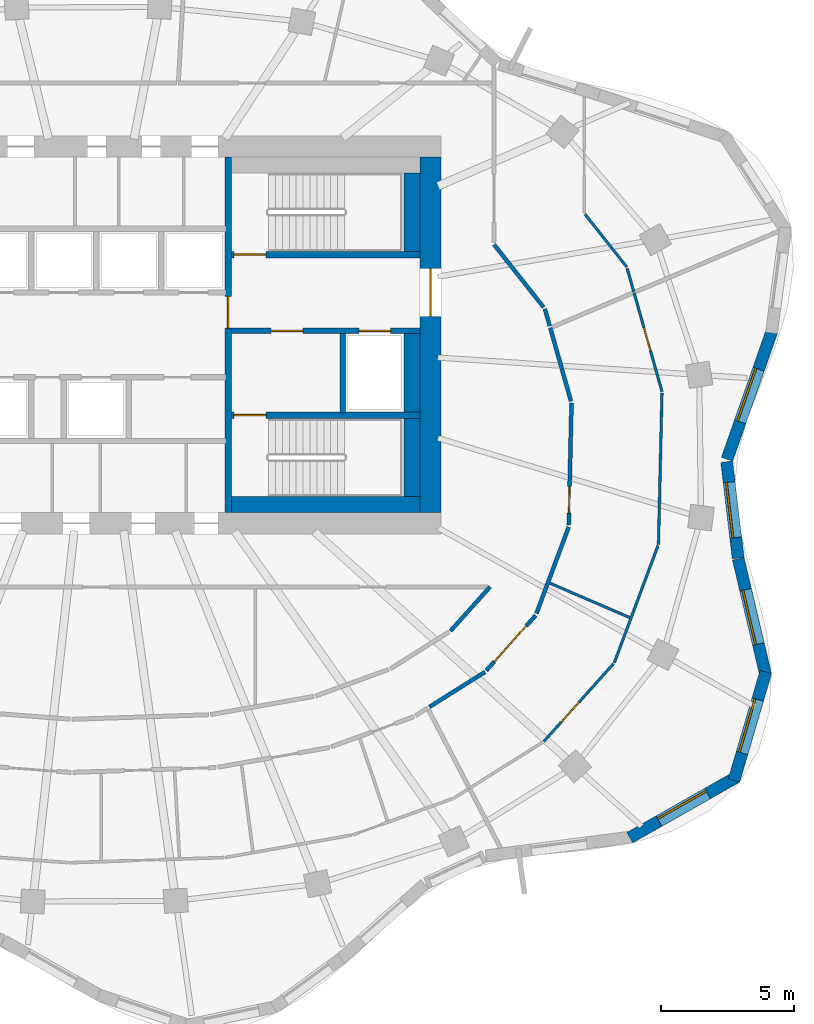
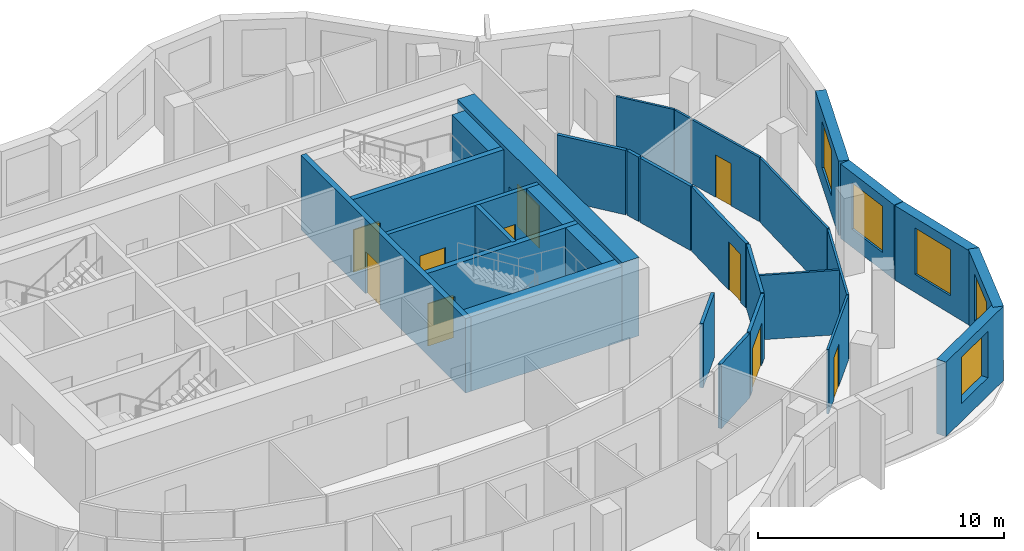
# One storey, part 6 of 9: 30 walls, 10 doors, 5 windows, 15 openings.
"""IFC4 building model written with IfcOpenShell, lengths in metres."""

from ifc_helpers import new_model, si_unit, direction, frame, frame_2d, origin, place, context, subcontext, project, spatial, rectangle, extrude, material, layer, layer_set, type_object, element, fill, save


model = new_model("IFC4")

# Units and contexts
model_context = context("Model", 3, precision=1e-05, world=origin(), true_north=direction((0.0, 1.0)))
body_context = subcontext(model_context, "Body", "Model", "MODEL_VIEW")
ifc_project = project(units=[si_unit("LENGTHUNIT", "METRE"), si_unit("AREAUNIT", "SQUARE_METRE"), si_unit("VOLUMEUNIT", "CUBIC_METRE"), si_unit("PLANEANGLEUNIT", "RADIAN"), si_unit("MASSUNIT", "GRAM", prefix="KILO")], contexts=[model_context])

# Site, building, storey
site_placement = place(None, origin())
site = spatial("IfcSite", under=ifc_project, at=site_placement, CompositionType="ELEMENT")
building_placement = place(site_placement, origin())
building = spatial("IfcBuilding", under=site, at=building_placement, Name="Rubra Terraces Tower", CompositionType="ELEMENT")
storey_placement = place(building_placement, frame((0.0, 0.0, 288.300048828125)))
storey = spatial("IfcBuildingStorey", under=building, at=storey_placement, Name="L71", CompositionType="ELEMENT", Elevation=288.300048828125)

# Wall, opening, window
ifc_material_1 = material(Name="Brick masonry red-brown", Category="masonry")
ifc_layer_1 = layer(ifc_material_1, 0.449951171875)
ifc_layer_set_1 = layer_set([ifc_layer_1], Name="Brick masonry red-brown")
wall_type_1 = type_object("IfcWallType", Name="Brick facade wall 450", PredefinedType="SOLIDWALL", material=ifc_layer_set_1)
wall_1_placement = place(storey_placement, frame((23.782470703125, -0.189208984375, 0.0), z_axis=(0.0, 0.0, 1.0), x_axis=(0.330794307703, 0.943702880144, 0.0)))
wall_1 = element("IfcWall", 1, at=wall_1_placement, inside=storey, type_object=wall_type_1, Name="Facade wall L71 bay 1", PredefinedType="SOLIDWALL", context=body_context, shape_type="SweptSolid", body=[
    extrude(rectangle(XDim=5.095458984375, YDim=0.449951171875, at=frame_2d((2.5478515625, 0.0))), origin(), (0.0, 0.0, 1.0), 3.699951171875),
])
opening_1_placement = place(wall_1_placement, frame((1.497802734375, 0.0, 0.89990234375)))
opening_1 = element("IfcOpeningElement", 2, at=opening_1_placement, cuts=wall_1, Name="Opening W1B", PredefinedType="OPENING", context=body_context, shape_type="SweptSolid", body=[
    extrude(rectangle(XDim=2.10009765625, YDim=2.300048828125, at=frame_2d((1.050048828125, 1.14990234375))), frame((0.0, 0.23486328125, 0.0), z_axis=(0.0, -1.0, 0.0), x_axis=(1.0, 0.0, 0.0)), (0.0, 0.0, 1.0), 0.469970703125),
])
ifc_material_2 = material(Name="Clear glass in aluminium frame", Category="aluminium")
window_type = type_object("IfcWindowType", Name="Fixed deep-set window tall storey 2100 x 2300", PartitioningType="SINGLE_PANEL", PredefinedType="WINDOW", material=ifc_material_2)
window_1_placement = place(opening_1_placement, origin())
window_1 = element("IfcWindow", 3, at=window_1_placement, inside=storey, type_object=window_type, Name="Window L71 bay 1", OverallHeight=2.300048828125, OverallWidth=2.10009765625, PartitioningType="SINGLE_PANEL", PredefinedType="WINDOW", context=body_context, shape_type="SweptSolid", body=[
    extrude(rectangle(XDim=2.10009765625, YDim=2.300048828125, at=frame_2d((1.050048828125, 1.14990234375))), frame((0.0, 0.135009765625, 0.0), z_axis=(0.0, -1.0, 0.0), x_axis=(1.0, 0.0, 0.0)), (0.0, 0.0, 1.0), 0.06005859375),
])
fill(opening_1, window_1)

wall_2_placement = place(storey_placement, frame((20.115478515625, -14.45458984375, 0.0), z_axis=(0.0, 0.0, 1.0), x_axis=(0.869822679286, 0.493364476427, 0.0)))
wall_2 = element("IfcWall", 4, at=wall_2_placement, inside=storey, type_object=wall_type_1, Name="Facade wall L71 bay 37", PredefinedType="SOLIDWALL", context=body_context, shape_type="SweptSolid", body=[
    extrude(rectangle(XDim=4.63818359375, YDim=0.449951171875, at=frame_2d((2.319091796875, 0.0))), origin(), (0.0, 0.0, 1.0), 3.699951171875),
])
opening_2_placement = place(wall_2_placement, frame((1.26904296875, 0.0, 0.89990234375)))
opening_2 = element("IfcOpeningElement", 5, at=opening_2_placement, cuts=wall_2, Name="Opening W1B", PredefinedType="OPENING", context=body_context, shape_type="SweptSolid", body=[
    extrude(rectangle(XDim=2.10009765625, YDim=2.300048828125, at=frame_2d((1.050048828125, 1.14990234375))), frame((0.0, 0.23486328125, 0.0), z_axis=(0.0, -1.0, 0.0), x_axis=(1.0, 0.0, 0.0)), (0.0, 0.0, 1.0), 0.469970703125),
])
window_2_placement = place(opening_2_placement, origin())
window_2 = element("IfcWindow", 6, at=window_2_placement, inside=storey, type_object=window_type, Name="Window L71 bay 37", OverallHeight=2.300048828125, OverallWidth=2.10009765625, PartitioningType="SINGLE_PANEL", PredefinedType="WINDOW", context=body_context, shape_type="SweptSolid", body=[
    extrude(rectangle(XDim=2.10009765625, YDim=2.300048828125, at=frame_2d((1.050048828125, 1.14990234375))), frame((0.0, 0.135009765625, 0.0), z_axis=(0.0, -1.0, 0.0), x_axis=(1.0, 0.0, 0.0)), (0.0, 0.0, 1.0), 0.06005859375),
])
fill(opening_2, window_2)

wall_3_placement = place(storey_placement, frame((24.045166015625, -12.298583984375, 0.0), z_axis=(0.0, 0.0, 1.0), x_axis=(0.281381418228, 0.95959600743, 0.0)))
wall_3 = element("IfcWall", 7, at=wall_3_placement, inside=storey, type_object=wall_type_1, Name="Facade wall L71 bay 38", PredefinedType="SOLIDWALL", context=body_context, shape_type="SweptSolid", body=[
    extrude(rectangle(XDim=4.260986328125, YDim=0.449951171875, at=frame_2d((2.13037109375, 0.0))), origin(), (0.0, 0.0, 1.0), 3.699951171875),
])
opening_3_placement = place(wall_3_placement, frame((1.08056640625, 0.0, 0.89990234375)))
opening_3 = element("IfcOpeningElement", 8, at=opening_3_placement, cuts=wall_3, Name="Opening W1B", PredefinedType="OPENING", context=body_context, shape_type="SweptSolid", body=[
    extrude(rectangle(XDim=2.10009765625, YDim=2.300048828125, at=frame_2d((1.050048828125, 1.14990234375))), frame((0.0, 0.23486328125, 0.0), z_axis=(0.0, -1.0, 0.0), x_axis=(1.0, 0.0, 0.0)), (0.0, 0.0, 1.0), 0.469970703125),
])
window_3_placement = place(opening_3_placement, origin())
window_3 = element("IfcWindow", 9, at=window_3_placement, inside=storey, type_object=window_type, Name="Window L71 bay 38", OverallHeight=2.300048828125, OverallWidth=2.10009765625, PartitioningType="SINGLE_PANEL", PredefinedType="WINDOW", context=body_context, shape_type="SweptSolid", body=[
    extrude(rectangle(XDim=2.10009765625, YDim=2.300048828125, at=frame_2d((1.050048828125, 1.14990234375))), frame((0.0, 0.135009765625, 0.0), z_axis=(0.0, -1.0, 0.0), x_axis=(1.0, 0.0, 0.0)), (0.0, 0.0, 1.0), 0.06005859375),
])
fill(opening_3, window_3)

wall_4_placement = place(storey_placement, frame((25.23974609375, -8.3193359375, 0.0), z_axis=(0.0, 0.0, 1.0), x_axis=(-0.230037604827, 0.973181740666, 0.0)))
wall_4 = element("IfcWall", 10, at=wall_4_placement, inside=storey, type_object=wall_type_1, Name="Facade wall L71 bay 39", PredefinedType="SOLIDWALL", context=body_context, shape_type="SweptSolid", body=[
    extrude(rectangle(XDim=4.497802734375, YDim=0.449951171875, at=frame_2d((2.2490234375, 0.0))), origin(), (0.0, 0.0, 1.0), 3.699951171875),
])
opening_4_placement = place(wall_4_placement, frame((1.198974609375, 0.0, 0.89990234375)))
opening_4 = element("IfcOpeningElement", 11, at=opening_4_placement, cuts=wall_4, Name="Opening W1B", PredefinedType="OPENING", context=body_context, shape_type="SweptSolid", body=[
    extrude(rectangle(XDim=2.10009765625, YDim=2.300048828125, at=frame_2d((1.050048828125, 1.14990234375))), frame((0.0, 0.23486328125, 0.0), z_axis=(0.0, -1.0, 0.0), x_axis=(1.0, 0.0, 0.0)), (0.0, 0.0, 1.0), 0.469970703125),
])
window_4_placement = place(opening_4_placement, origin())
window_4 = element("IfcWindow", 12, at=window_4_placement, inside=storey, type_object=window_type, Name="Window L71 bay 39", OverallHeight=2.300048828125, OverallWidth=2.10009765625, PartitioningType="SINGLE_PANEL", PredefinedType="WINDOW", context=body_context, shape_type="SweptSolid", body=[
    extrude(rectangle(XDim=2.10009765625, YDim=2.300048828125, at=frame_2d((1.050048828125, 1.14990234375))), frame((0.0, 0.135009765625, 0.0), z_axis=(0.0, -1.0, 0.0), x_axis=(1.0, 0.0, 0.0)), (0.0, 0.0, 1.0), 0.06005859375),
])
fill(opening_4, window_4)

wall_5_placement = place(storey_placement, frame((24.200927734375, -3.915283203125, 0.0), z_axis=(0.0, 0.0, 1.0), x_axis=(-0.117623597589, 0.993058250703, 0.0)))
wall_5 = element("IfcWall", 13, at=wall_5_placement, inside=storey, type_object=wall_type_1, Name="Facade wall L71 bay 40", PredefinedType="SOLIDWALL", context=body_context, shape_type="SweptSolid", body=[
    extrude(rectangle(XDim=3.6572265625, YDim=0.449951171875, at=frame_2d((1.82861328125, 0.0))), origin(), (0.0, 0.0, 1.0), 3.699951171875),
])
opening_5_placement = place(wall_5_placement, frame((0.77880859375, 0.0, 0.89990234375)))
opening_5 = element("IfcOpeningElement", 14, at=opening_5_placement, cuts=wall_5, Name="Opening W1B", PredefinedType="OPENING", context=body_context, shape_type="SweptSolid", body=[
    extrude(rectangle(XDim=2.10009765625, YDim=2.300048828125, at=frame_2d((1.050048828125, 1.14990234375))), frame((0.0, 0.23486328125, 0.0), z_axis=(0.0, -1.0, 0.0), x_axis=(1.0, 0.0, 0.0)), (0.0, 0.0, 1.0), 0.469970703125),
])
window_5_placement = place(opening_5_placement, origin())
window_5 = element("IfcWindow", 15, at=window_5_placement, inside=storey, type_object=window_type, Name="Window L71 bay 40", OverallHeight=2.300048828125, OverallWidth=2.10009765625, PartitioningType="SINGLE_PANEL", PredefinedType="WINDOW", context=body_context, shape_type="SweptSolid", body=[
    extrude(rectangle(XDim=2.10009765625, YDim=2.300048828125, at=frame_2d((1.050048828125, 1.14990234375))), frame((0.0, 0.135009765625, 0.0), z_axis=(0.0, -1.0, 0.0), x_axis=(1.0, 0.0, 0.0)), (0.0, 0.0, 1.0), 0.06005859375),
])
fill(opening_5, window_5)

# Wall, opening, door
ifc_material_3 = material(Name="Concrete C50", Category="concrete")
ifc_layer_2 = layer(ifc_material_3, 0.800048828125)
ifc_layer_set_2 = layer_set([ifc_layer_2], Name="Concrete C50")
wall_type_2 = type_object("IfcWallType", Name="CORE WALL 800 C50", PredefinedType="SHEAR", material=ifc_layer_set_2)
wall_6_placement = place(storey_placement, frame((12.60009765625, -2.199951171875, 0.0), z_axis=(0.0, 0.0, 1.0), x_axis=(0.0, 1.0, 0.0)))
wall_6 = element("IfcWall", 16, at=wall_6_placement, inside=storey, type_object=wall_type_2, Name="CORE WALL E L71", PredefinedType="SHEAR", context=body_context, shape_type="SweptSolid", body=[
    extrude(rectangle(XDim=13.39990234375, YDim=0.800048828125, at=frame_2d((6.699951171875, 0.0))), origin(), (0.0, 0.0, 1.0), 3.89990234375),
])
opening_6_placement = place(wall_6_placement, frame((7.39990234375, 0.0, 0.0)))
opening_6 = element("IfcOpeningElement", 17, at=opening_6_placement, cuts=wall_6, Name="Opening L71.C02", PredefinedType="OPENING", context=body_context, shape_type="SweptSolid", body=[
    extrude(rectangle(XDim=1.800048828125, YDim=2.10009765625, at=frame_2d((0.89990234375, 1.050048828125))), frame((0.0, 0.409912109375, 0.0), z_axis=(0.0, -1.0, 0.0), x_axis=(1.0, 0.0, 0.0)), (0.0, 0.0, 1.0), 0.820068359375),
])
ifc_material_4 = material(Name="Painted steel", Category="steel")
door_type_1 = type_object("IfcDoorType", Name="Fire door 1800x2100 double", OperationType="NOTDEFINED", PredefinedType="DOOR", material=ifc_material_4)
door_1_placement = place(opening_6_placement, origin())
door_1 = element("IfcDoor", 18, at=door_1_placement, inside=storey, type_object=door_type_1, Name="Core entrance door FF2", OperationType="DOUBLE_DOOR_SINGLE_SWING", OverallHeight=2.10009765625, OverallWidth=1.800048828125, PredefinedType="DOOR", context=body_context, shape_type="SweptSolid", body=[
    extrude(rectangle(XDim=1.800048828125, YDim=2.10009765625, at=frame_2d((0.89990234375, 1.050048828125))), frame((0.0, 0.02490234375, 0.0), z_axis=(0.0, -1.0, 0.0), x_axis=(1.0, 0.0, 0.0)), (0.0, 0.0, 1.0), 0.050048828125),
])
fill(opening_6, door_1)

# Wall
ifc_material_5 = material(Name="Plasterboard on steel stud, mineral wool infill", Category="steel")
ifc_layer_3 = layer(ifc_material_5, 0.14990234375)
ifc_layer_set_3 = layer_set([ifc_layer_3], Name="Plasterboard on steel stud, mineral wool infill")
wall_type_3 = type_object("IfcWallType", Name="CORRIDOR PARTITION 150", PredefinedType="PARTITIONING", material=ifc_layer_set_3)
wall_7_placement = place(storey_placement, frame((12.559814453125, -9.528564453125, 0.0), z_axis=(0.0, 0.0, 1.0), x_axis=(0.846402081662, 0.53254437952, 0.0)))
element("IfcWall", 19, at=wall_7_placement, inside=storey, type_object=wall_type_3, Name="PARTITION", PredefinedType="PARTITIONING", context=body_context, shape_type="SweptSolid", body=[
    extrude(rectangle(XDim=2.480712890625, YDim=0.14990234375, at=frame_2d((1.240234375, 0.0))), origin(), (0.0, 0.0, 1.0), 3.197998046875),
])

# Wall, opening, door
wall_8_placement = place(storey_placement, frame((14.70947265625, -8.151611328125, 0.0), z_axis=(0.0, 0.0, 1.0), x_axis=(0.667275630306, 0.744810870758, 0.0)))
wall_8 = element("IfcWall", 20, at=wall_8_placement, inside=storey, type_object=wall_type_3, Name="PARTITION", PredefinedType="PARTITIONING", context=body_context, shape_type="SweptSolid", body=[
    extrude(rectangle(XDim=2.789794921875, YDim=0.14990234375, at=frame_2d((1.39501953125, 0.0))), origin(), (0.0, 0.0, 1.0), 3.197998046875),
])
opening_7_placement = place(wall_8_placement, frame((0.449951171875, 0.0, 0.0)))
opening_7 = element("IfcOpeningElement", 21, at=opening_7_placement, cuts=wall_8, Name="Opening 71-107", PredefinedType="OPENING", context=body_context, shape_type="SweptSolid", body=[
    extrude(rectangle(XDim=1.800048828125, YDim=2.10009765625, at=frame_2d((0.89990234375, 1.050048828125))), frame((0.0, 0.0849609375, 0.0), z_axis=(0.0, -1.0, 0.0), x_axis=(1.0, 0.0, 0.0)), (0.0, 0.0, 1.0), 0.169921875),
])
ifc_material_6 = material(Name="Painted timber door leaf, double", Category="wood")
door_type_2 = type_object("IfcDoorType", Name="ROOM DOUBLE DOOR 1800 X 2100", OperationType="DOUBLE_DOOR_SINGLE_SWING", PredefinedType="DOOR", material=ifc_material_6)
door_2_placement = place(opening_7_placement, origin())
door_2 = element("IfcDoor", 22, at=door_2_placement, inside=storey, type_object=door_type_2, Name="DOOR 71-107", OperationType="DOUBLE_DOOR_SINGLE_SWING", OverallHeight=2.10009765625, OverallWidth=1.800048828125, PredefinedType="DOOR", context=body_context, shape_type="SweptSolid", body=[
    extrude(rectangle(XDim=1.800048828125, YDim=2.10009765625, at=frame_2d((0.89990234375, 1.050048828125))), frame((0.0, 0.02490234375, 0.0), z_axis=(0.0, -1.0, 0.0), x_axis=(1.0, 0.0, 0.0)), (0.0, 0.0, 1.0), 0.050048828125),
])
fill(opening_7, door_2)

# Wall
wall_9_placement = place(storey_placement, frame((16.597412109375, -6.00341796875, 0.0), z_axis=(0.0, 0.0, 1.0), x_axis=(0.349499455299, 0.936936567088, 0.0)))
element("IfcWall", 23, at=wall_9_placement, inside=storey, type_object=wall_type_3, Name="PARTITION", PredefinedType="PARTITIONING", context=body_context, shape_type="SweptSolid", body=[
    extrude(rectangle(XDim=3.477294921875, YDim=0.14990234375, at=frame_2d((1.73876953125, 0.0))), origin(), (0.0, 0.0, 1.0), 3.197998046875),
])

# Wall, opening, door
wall_10_placement = place(storey_placement, frame((17.814453125, -2.67041015625, 0.0), z_axis=(0.0, 0.0, 1.0), x_axis=(0.023038539091, 0.999734577634, 0.0)))
wall_10 = element("IfcWall", 24, at=wall_10_placement, inside=storey, type_object=wall_type_3, Name="PARTITION", PredefinedType="PARTITIONING", context=body_context, shape_type="SweptSolid", body=[
    extrude(rectangle(XDim=4.59912109375, YDim=0.14990234375, at=frame_2d((2.299560546875, 0.0))), origin(), (0.0, 0.0, 1.0), 3.197998046875),
])
opening_8_placement = place(wall_10_placement, frame((0.449951171875, 0.0, 0.0)))
opening_8 = element("IfcOpeningElement", 25, at=opening_8_placement, cuts=wall_10, Name="Opening 71-109", PredefinedType="OPENING", context=body_context, shape_type="SweptSolid", body=[
    extrude(rectangle(XDim=1.0, YDim=2.39990234375, at=frame_2d((0.5, 1.199951171875))), frame((0.0, 0.0849609375, 0.0), z_axis=(0.0, -1.0, 0.0), x_axis=(1.0, 0.0, 0.0)), (0.0, 0.0, 1.0), 0.169921875),
])
ifc_material_7 = material(Name="Glazed aluminium meeting door leaf", Category="aluminium")
door_type_3 = type_object("IfcDoorType", Name="MEETING ROOM GLAZED DOOR 1000 X 2400", OperationType="SINGLE_SWING_LEFT", PredefinedType="DOOR", material=ifc_material_7)
door_3_placement = place(opening_8_placement, origin())
door_3 = element("IfcDoor", 26, at=door_3_placement, inside=storey, type_object=door_type_3, Name="DOOR 71-109", OperationType="SINGLE_SWING_RIGHT", OverallHeight=2.39990234375, OverallWidth=1.0, PredefinedType="DOOR", context=body_context, shape_type="SweptSolid", body=[
    extrude(rectangle(XDim=1.0, YDim=2.39990234375, at=frame_2d((0.5, 1.199951171875))), frame((0.0, 0.02490234375, 0.0), z_axis=(0.0, -1.0, 0.0), x_axis=(1.0, 0.0, 0.0)), (0.0, 0.0, 1.0), 0.050048828125),
])
fill(opening_8, door_3)

# Walls
wall_11_placement = place(storey_placement, frame((17.89990234375, 1.999755859375, 0.0), z_axis=(0.0, 0.0, 1.0), x_axis=(-0.271980959701, 0.962302633042, 0.0)))
element("IfcWall", 27, at=wall_11_placement, inside=storey, type_object=wall_type_3, Name="PARTITION", PredefinedType="PARTITIONING", context=body_context, shape_type="SweptSolid", body=[
    extrude(rectangle(XDim=2.87255859375, YDim=0.14990234375, at=frame_2d((1.436279296875, 0.0))), origin(), (0.0, 0.0, 1.0), 3.197998046875),
])
wall_12_placement = place(storey_placement, frame((17.098388671875, 4.836181640625, 0.0), z_axis=(0.0, 0.0, 1.0), x_axis=(-0.271971703561, 0.962305249109, 0.0)))
element("IfcWall", 28, at=wall_12_placement, inside=storey, type_object=wall_type_3, Name="PARTITION", PredefinedType="PARTITIONING", context=body_context, shape_type="SweptSolid", body=[
    extrude(rectangle(XDim=0.668701171875, YDim=0.14990234375, at=frame_2d((0.33447265625, 0.0))), origin(), (0.0, 0.0, 1.0), 3.197998046875),
])
wall_13_placement = place(storey_placement, frame((16.869873046875, 5.53857421875, 0.0), z_axis=(0.0, 0.0, 1.0), x_axis=(-0.620093074114, 0.784528252796, 0.0)))
element("IfcWall", 29, at=wall_13_placement, inside=storey, type_object=wall_type_3, Name="PARTITION", PredefinedType="PARTITIONING", context=body_context, shape_type="SweptSolid", body=[
    extrude(rectangle(XDim=3.015380859375, YDim=0.14990234375, at=frame_2d((1.5078125, 0.0))), origin(), (0.0, 0.0, 1.0), 3.197998046875),
])
wall_14_placement = place(storey_placement, frame((14.847900390625, -5.0, 0.0), z_axis=(0.0, 0.0, 1.0), x_axis=(-0.667363249373, -0.744732363595, 0.0)))
element("IfcWall", 30, at=wall_14_placement, inside=storey, type_object=wall_type_3, Name="PARTITION", PredefinedType="PARTITIONING", context=body_context, shape_type="SweptSolid", body=[
    extrude(rectangle(XDim=2.234130859375, YDim=0.14990234375, at=frame_2d((1.1171875, 0.0))), origin(), (0.0, 0.0, 1.0), 3.197998046875),
])
ifc_material_8 = material(Name="Concrete C40", Category="concrete")
ifc_layer_4 = layer(ifc_material_8, 0.60009765625)
ifc_layer_set_4 = layer_set([ifc_layer_4], Name="Concrete C40")
wall_type_4 = type_object("IfcWallType", Name="Core lining wall 600 concrete", PredefinedType="SOLIDWALL", material=ifc_layer_set_4)
wall_15_placement = place(storey_placement, frame((11.89990234375, 10.60009765625, 0.0), z_axis=(0.0, 0.0, 1.0), x_axis=(0.0, -1.0, 0.0)))
element("IfcWall", 31, at=wall_15_placement, inside=storey, type_object=wall_type_4, Name="CORE LINING WALL L71", PredefinedType="SOLIDWALL", context=body_context, shape_type="SweptSolid", body=[
    extrude(rectangle(XDim=2.9501953125, YDim=0.60009765625, at=frame_2d((1.47509765625, 0.0))), origin(), (0.0, 0.0, 1.0), 3.699951171875),
])
wall_16_placement = place(storey_placement, frame((11.89990234375, 4.550048828125, 0.0), z_axis=(0.0, 0.0, 1.0), x_axis=(0.0, -1.0, 0.0)))
element("IfcWall", 32, at=wall_16_placement, inside=storey, type_object=wall_type_4, Name="CORE LINING WALL L71", PredefinedType="SOLIDWALL", context=body_context, shape_type="SweptSolid", body=[
    extrude(rectangle(XDim=3.0, YDim=0.60009765625, at=frame_2d((1.5, 0.0))), origin(), (0.0, 0.0, 1.0), 3.699951171875),
])
wall_17_placement = place(storey_placement, frame((11.89990234375, 1.35009765625, 0.0), z_axis=(0.0, 0.0, 1.0), x_axis=(0.0, -1.0, 0.0)))
element("IfcWall", 33, at=wall_17_placement, inside=storey, type_object=wall_type_4, Name="CORE LINING WALL L71", PredefinedType="SOLIDWALL", context=body_context, shape_type="SweptSolid", body=[
    extrude(rectangle(XDim=2.9501953125, YDim=0.60009765625, at=frame_2d((1.47509765625, 0.0))), origin(), (0.0, 0.0, 1.0), 3.699951171875),
])
wall_18_placement = place(storey_placement, frame((12.199951171875, -1.89990234375, 0.0), z_axis=(0.0, 0.0, 1.0), x_axis=(-1.0, 0.0, 0.0)))
element("IfcWall", 34, at=wall_18_placement, inside=storey, type_object=wall_type_4, Name="CORE LINING WALL L71", PredefinedType="SOLIDWALL", context=body_context, shape_type="SweptSolid", body=[
    extrude(rectangle(XDim=7.099853515625, YDim=0.60009765625, at=frame_2d((3.5498046875, 0.0))), origin(), (0.0, 0.0, 1.0), 3.699951171875),
])

# Wall, openings, doors
ifc_material_9 = material(Name="Concrete C30", Category="concrete")
ifc_layer_5 = layer(ifc_material_9, 0.199951171875)
ifc_layer_set_5 = layer_set([ifc_layer_5], Name="Concrete C30")
wall_type_5 = type_object("IfcWallType", Name="Core wall 200 concrete", PredefinedType="SOLIDWALL", material=ifc_layer_set_5)
wall_19_placement = place(storey_placement, frame((12.199951171875, 4.64990234375, 0.0), z_axis=(0.0, 0.0, 1.0), x_axis=(-1.0, 0.0, 0.0)))
wall_19 = element("IfcWall", 35, at=wall_19_placement, inside=storey, type_object=wall_type_5, Name="STAIR WALL L71", PredefinedType="SOLIDWALL", context=body_context, shape_type="SweptSolid", body=[
    extrude(rectangle(XDim=7.099853515625, YDim=0.199951171875, at=frame_2d((3.5498046875, 0.0))), origin(), (0.0, 0.0, 1.0), 3.699951171875),
])
opening_9_placement = place(wall_19_placement, frame((4.39990234375, 0.0, 0.0)))
opening_9 = element("IfcOpeningElement", 36, at=opening_9_placement, cuts=wall_19, Name="Opening L71.C06", PredefinedType="OPENING", context=body_context, shape_type="SweptSolid", body=[
    extrude(rectangle(XDim=1.199951171875, YDim=2.10009765625, at=frame_2d((0.60009765625, 1.050048828125))), frame((0.0, 0.10986328125, 0.0), z_axis=(0.0, -1.0, 0.0), x_axis=(1.0, 0.0, 0.0)), (0.0, 0.0, 1.0), 0.219970703125),
])
opening_10_placement = place(wall_19_placement, frame((1.10009765625, 0.0, 0.0)))
opening_10 = element("IfcOpeningElement", 37, at=opening_10_placement, cuts=wall_19, Name="Opening L71.C12", PredefinedType="OPENING", context=body_context, shape_type="SweptSolid", body=[
    extrude(rectangle(XDim=1.199951171875, YDim=2.10009765625, at=frame_2d((0.60009765625, 1.050048828125))), frame((0.0, 0.10986328125, 0.0), z_axis=(0.0, -1.0, 0.0), x_axis=(1.0, 0.0, 0.0)), (0.0, 0.0, 1.0), 0.219970703125),
])
door_type_4 = type_object("IfcDoorType", Name="Fire door 1200x2100 single", OperationType="NOTDEFINED", PredefinedType="DOOR", material=ifc_material_4)
door_4_placement = place(opening_9_placement, origin())
door_4 = element("IfcDoor", 38, at=door_4_placement, inside=storey, type_object=door_type_4, Name="Stair vestibule door S4", OperationType="SINGLE_SWING_RIGHT", OverallHeight=2.10009765625, OverallWidth=1.199951171875, PredefinedType="DOOR", context=body_context, shape_type="SweptSolid", body=[
    extrude(rectangle(XDim=1.199951171875, YDim=2.10009765625, at=frame_2d((0.60009765625, 1.050048828125))), frame((0.0, 0.02490234375, 0.0), z_axis=(0.0, -1.0, 0.0), x_axis=(1.0, 0.0, 0.0)), (0.0, 0.0, 1.0), 0.050048828125),
])
fill(opening_9, door_4)
ifc_material_10 = material(Name="Stainless steel", Category="steel")
door_type_5 = type_object("IfcDoorType", Name="Lift landing door 1200x2100", OperationType="NOTDEFINED", PredefinedType="DOOR", material=ifc_material_10)
door_5_placement = place(opening_10_placement, origin())
door_5 = element("IfcDoor", 39, at=door_5_placement, inside=storey, type_object=door_type_5, Name="Landing door FF2", OperationType="SLIDING_TO_RIGHT", OverallHeight=2.10009765625, OverallWidth=1.199951171875, PredefinedType="DOOR", context=body_context, shape_type="SweptSolid", body=[
    extrude(rectangle(XDim=1.199951171875, YDim=2.10009765625, at=frame_2d((0.60009765625, 1.050048828125))), frame((0.0, 0.02490234375, 0.0), z_axis=(0.0, -1.0, 0.0), x_axis=(1.0, 0.0, 0.0)), (0.0, 0.0, 1.0), 0.050048828125),
])
fill(opening_10, door_5)

# Wall
wall_20_placement = place(storey_placement, frame((9.300048828125, 4.550048828125, 0.0), z_axis=(0.0, 0.0, 1.0), x_axis=(0.0, -1.0, 0.0)))
element("IfcWall", 40, at=wall_20_placement, inside=storey, type_object=wall_type_5, Name="STAIR WALL L71", PredefinedType="SOLIDWALL", context=body_context, shape_type="SweptSolid", body=[
    extrude(rectangle(XDim=3.0, YDim=0.199951171875, at=frame_2d((1.5, 0.0))), origin(), (0.0, 0.0, 1.0), 3.699951171875),
])

# Wall, opening, door
ifc_material_11 = material(Name="Plasterboard on steel stud", Category="steel")
ifc_layer_6 = layer(ifc_material_11, 0.10009765625)
ifc_layer_set_6 = layer_set([ifc_layer_6], Name="Plasterboard on steel stud")
wall_type_6 = type_object("IfcWallType", Name="ROOM PARTITION 100", PredefinedType="PARTITIONING", material=ifc_layer_set_6)
wall_21_placement = place(storey_placement, frame((20.2802734375, 6.0791015625, 0.0), z_axis=(0.0, 0.0, 1.0), x_axis=(0.271974810721, -0.962304370942, 0.0)))
wall_21 = element("IfcWall", 41, at=wall_21_placement, inside=storey, type_object=wall_type_6, Name="PARTITION", PredefinedType="PARTITIONING", context=body_context, shape_type="SweptSolid", body=[
    extrude(rectangle(XDim=3.864501953125, YDim=0.10009765625, at=frame_2d((1.93212890625, 0.0))), origin(), (0.0, 0.0, 1.0), 3.197998046875),
])
opening_11_placement = place(wall_21_placement, frame((1.360107421875, 0.0, 0.0)))
opening_11 = element("IfcOpeningElement", 42, at=opening_11_placement, cuts=wall_21, Name="Opening 71-110", PredefinedType="OPENING", context=body_context, shape_type="SweptSolid", body=[
    extrude(rectangle(XDim=0.89990234375, YDim=2.10009765625, at=frame_2d((0.449951171875, 1.050048828125))), frame((0.0, 0.06005859375, 0.0), z_axis=(0.0, -1.0, 0.0), x_axis=(1.0, 0.0, 0.0)), (0.0, 0.0, 1.0), 0.1201171875),
])
ifc_material_12 = material(Name="Painted timber door leaf", Category="wood")
door_type_6 = type_object("IfcDoorType", Name="ROOM DOOR 900 X 2100", OperationType="SINGLE_SWING_LEFT", PredefinedType="DOOR", material=ifc_material_12)
door_6_placement = place(opening_11_placement, origin())
door_6 = element("IfcDoor", 43, at=door_6_placement, inside=storey, type_object=door_type_6, Name="DOOR 71-110", OperationType="SINGLE_SWING_RIGHT", OverallHeight=2.10009765625, OverallWidth=0.89990234375, PredefinedType="DOOR", context=body_context, shape_type="SweptSolid", body=[
    extrude(rectangle(XDim=0.89990234375, YDim=2.10009765625, at=frame_2d((0.449951171875, 1.050048828125))), frame((0.0, 0.02490234375, 0.0), z_axis=(0.0, -1.0, 0.0), x_axis=(1.0, 0.0, 0.0)), (0.0, 0.0, 1.0), 0.050048828125),
])
fill(opening_11, door_6)

# Walls
wall_22_placement = place(storey_placement, frame((21.330078125, 2.310302734375, 0.0), z_axis=(0.0, 0.0, 1.0), x_axis=(-0.023052695677, -0.9997342513, 0.0)))
element("IfcWall", 44, at=wall_22_placement, inside=storey, type_object=wall_type_6, Name="PARTITION", PredefinedType="PARTITIONING", context=body_context, shape_type="SweptSolid", body=[
    extrude(rectangle(XDim=5.708251953125, YDim=0.10009765625, at=frame_2d((2.85400390625, 0.0))), origin(), (0.0, 0.0, 1.0), 3.197998046875),
])
wall_23_placement = place(storey_placement, frame((21.180908203125, -3.443359375, 0.0), z_axis=(0.0, 0.0, 1.0), x_axis=(-0.349438657616, -0.936959243811, 0.0)))
element("IfcWall", 45, at=wall_23_placement, inside=storey, type_object=wall_type_6, Name="PARTITION", PredefinedType="PARTITIONING", context=body_context, shape_type="SweptSolid", body=[
    extrude(rectangle(XDim=4.718017578125, YDim=0.10009765625, at=frame_2d((2.35888671875, 0.0))), origin(), (0.0, 0.0, 1.0), 3.197998046875),
])

# Wall, opening, door
wall_24_placement = place(storey_placement, frame((19.498779296875, -7.9013671875, 0.0), z_axis=(0.0, 0.0, 1.0), x_axis=(-0.667320762971, -0.744770433964, 0.0)))
wall_24 = element("IfcWall", 46, at=wall_24_placement, inside=storey, type_object=wall_type_6, Name="PARTITION", PredefinedType="PARTITIONING", context=body_context, shape_type="SweptSolid", body=[
    extrude(rectangle(XDim=3.93408203125, YDim=0.10009765625, at=frame_2d((1.967041015625, 0.0))), origin(), (0.0, 0.0, 1.0), 3.197998046875),
])
opening_12_placement = place(wall_24_placement, frame((1.949951171875, 0.0, 0.0)))
opening_12 = element("IfcOpeningElement", 47, at=opening_12_placement, cuts=wall_24, Name="Opening 71-108", PredefinedType="OPENING", context=body_context, shape_type="SweptSolid", body=[
    extrude(rectangle(XDim=1.0, YDim=2.10009765625, at=frame_2d((0.5, 1.050048828125))), frame((0.0, 0.06005859375, 0.0), z_axis=(0.0, -1.0, 0.0), x_axis=(1.0, 0.0, 0.0)), (0.0, 0.0, 1.0), 0.1201171875),
])
door_type_7 = type_object("IfcDoorType", Name="ROOM DOOR 1000 X 2100", OperationType="SINGLE_SWING_LEFT", PredefinedType="DOOR", material=ifc_material_12)
door_7_placement = place(opening_12_placement, origin())
door_7 = element("IfcDoor", 48, at=door_7_placement, inside=storey, type_object=door_type_7, Name="DOOR 71-108", OperationType="SINGLE_SWING_RIGHT", OverallHeight=2.10009765625, OverallWidth=1.0, PredefinedType="DOOR", context=body_context, shape_type="SweptSolid", body=[
    extrude(rectangle(XDim=1.0, YDim=2.10009765625, at=frame_2d((0.5, 1.050048828125))), frame((0.0, 0.02490234375, 0.0), z_axis=(0.0, -1.0, 0.0), x_axis=(1.0, 0.0, 0.0)), (0.0, 0.0, 1.0), 0.050048828125),
])
fill(opening_12, door_7)

# Walls
wall_25_placement = place(storey_placement, frame((17.103759765625, -4.860107421875, 0.0), z_axis=(0.0, 0.0, 1.0), x_axis=(0.918346015078, -0.395778469084, 0.0)))
element("IfcWall", 49, at=wall_25_placement, inside=storey, type_object=wall_type_6, Name="PARTITION", PredefinedType="PARTITIONING", context=body_context, shape_type="SweptSolid", body=[
    extrude(rectangle(XDim=3.279296875, YDim=0.10009765625, at=frame_2d((1.6396484375, 0.0))), origin(), (0.0, 0.0, 1.0), 3.197998046875),
])
wall_26_placement = place(storey_placement, frame((18.430908203125, 9.04638671875, 0.0), z_axis=(0.0, 0.0, 1.0), x_axis=(0.620118511479, -0.78450814637, 0.0)))
element("IfcWall", 50, at=wall_26_placement, inside=storey, type_object=wall_type_6, Name="PARTITION", PredefinedType="PARTITIONING", context=body_context, shape_type="SweptSolid", body=[
    extrude(rectangle(XDim=2.53662109375, YDim=0.10009765625, at=frame_2d((1.268310546875, 0.0))), origin(), (0.0, 0.0, 1.0), 3.197998046875),
])
wall_27_placement = place(storey_placement, frame((20.017578125, 7.00830078125, 0.0), z_axis=(0.0, 0.0, 1.0), x_axis=(0.272036681058, -0.962286882462, 0.0)))
element("IfcWall", 51, at=wall_27_placement, inside=storey, type_object=wall_type_6, Name="PARTITION", PredefinedType="PARTITIONING", context=body_context, shape_type="SweptSolid", body=[
    extrude(rectangle(XDim=0.92529296875, YDim=0.10009765625, at=frame_2d((0.462646484375, 0.0))), origin(), (0.0, 0.0, 1.0), 3.197998046875),
])

# Wall, opening, door
ifc_layer_7 = layer(ifc_material_8, 0.25)
ifc_layer_set_7 = layer_set([ifc_layer_7], Name="Concrete C40")
wall_type_7 = type_object("IfcWallType", Name="Stair enclosure wall 250 concrete", PredefinedType="SOLIDWALL", material=ifc_layer_set_7)
wall_28_placement = place(storey_placement, frame((12.199951171875, 7.52490234375, 0.0), z_axis=(0.0, 0.0, 1.0), x_axis=(-1.0, 0.0, 0.0)))
wall_28 = element("IfcWall", 52, at=wall_28_placement, inside=storey, type_object=wall_type_7, Name="STAIR WALL L71", PredefinedType="SOLIDWALL", context=body_context, shape_type="SweptSolid", body=[
    extrude(rectangle(XDim=7.099853515625, YDim=0.25, at=frame_2d((3.5498046875, 0.0))), origin(), (0.0, 0.0, 1.0), 3.699951171875),
])
opening_13_placement = place(wall_28_placement, frame((5.800048828125, 0.0, 0.0)))
opening_13 = element("IfcOpeningElement", 53, at=opening_13_placement, cuts=wall_28, Name="Opening L71.C08", PredefinedType="OPENING", context=body_context, shape_type="SweptSolid", body=[
    extrude(rectangle(XDim=1.199951171875, YDim=2.10009765625, at=frame_2d((0.60009765625, 1.050048828125))), frame((0.0, 0.135009765625, 0.0), z_axis=(0.0, -1.0, 0.0), x_axis=(1.0, 0.0, 0.0)), (0.0, 0.0, 1.0), 0.27001953125),
])
door_8_placement = place(opening_13_placement, origin())
door_8 = element("IfcDoor", 54, at=door_8_placement, inside=storey, type_object=door_type_4, Name="Stair door S3", OperationType="SINGLE_SWING_RIGHT", OverallHeight=2.10009765625, OverallWidth=1.199951171875, PredefinedType="DOOR", context=body_context, shape_type="SweptSolid", body=[
    extrude(rectangle(XDim=1.199951171875, YDim=2.10009765625, at=frame_2d((0.60009765625, 1.050048828125))), frame((0.0, 0.02490234375, 0.0), z_axis=(0.0, -1.0, 0.0), x_axis=(1.0, 0.0, 0.0)), (0.0, 0.0, 1.0), 0.050048828125),
])
fill(opening_13, door_8)

wall_29_placement = place(storey_placement, frame((12.199951171875, 1.47509765625, 0.0), z_axis=(0.0, 0.0, 1.0), x_axis=(-1.0, 0.0, 0.0)))
wall_29 = element("IfcWall", 55, at=wall_29_placement, inside=storey, type_object=wall_type_7, Name="STAIR WALL L71", PredefinedType="SOLIDWALL", context=body_context, shape_type="SweptSolid", body=[
    extrude(rectangle(XDim=7.099853515625, YDim=0.25, at=frame_2d((3.5498046875, 0.0))), origin(), (0.0, 0.0, 1.0), 3.699951171875),
])
opening_14_placement = place(wall_29_placement, frame((5.800048828125, 0.0, 0.0)))
opening_14 = element("IfcOpeningElement", 56, at=opening_14_placement, cuts=wall_29, Name="Opening L71.C10", PredefinedType="OPENING", context=body_context, shape_type="SweptSolid", body=[
    extrude(rectangle(XDim=1.199951171875, YDim=2.10009765625, at=frame_2d((0.60009765625, 1.050048828125))), frame((0.0, 0.135009765625, 0.0), z_axis=(0.0, -1.0, 0.0), x_axis=(1.0, 0.0, 0.0)), (0.0, 0.0, 1.0), 0.27001953125),
])
door_9_placement = place(opening_14_placement, origin())
door_9 = element("IfcDoor", 57, at=door_9_placement, inside=storey, type_object=door_type_4, Name="Stair door S4", OperationType="SINGLE_SWING_RIGHT", OverallHeight=2.10009765625, OverallWidth=1.199951171875, PredefinedType="DOOR", context=body_context, shape_type="SweptSolid", body=[
    extrude(rectangle(XDim=1.199951171875, YDim=2.10009765625, at=frame_2d((0.60009765625, 1.050048828125))), frame((0.0, 0.02490234375, 0.0), z_axis=(0.0, -1.0, 0.0), x_axis=(1.0, 0.0, 0.0)), (0.0, 0.0, 1.0), 0.050048828125),
])
fill(opening_14, door_9)

wall_30_placement = place(storey_placement, frame((4.97509765625, 11.199951171875, 0.0), z_axis=(0.0, 0.0, 1.0), x_axis=(0.0, -1.0, 0.0)))
wall_30 = element("IfcWall", 58, at=wall_30_placement, inside=storey, type_object=wall_type_7, Name="CORE LOBBY WALL L71", PredefinedType="SOLIDWALL", context=body_context, shape_type="SweptSolid", body=[
    extrude(rectangle(XDim=13.39990234375, YDim=0.25, at=frame_2d((6.699951171875, 0.0))), origin(), (0.0, 0.0, 1.0), 3.699951171875),
])
opening_15_placement = place(wall_30_placement, frame((5.25, 0.0, 0.0)))
opening_15 = element("IfcOpeningElement", 59, at=opening_15_placement, cuts=wall_30, Name="Opening L71.C04", PredefinedType="OPENING", context=body_context, shape_type="SweptSolid", body=[
    extrude(rectangle(XDim=1.199951171875, YDim=2.10009765625, at=frame_2d((0.60009765625, 1.050048828125))), frame((0.0, 0.135009765625, 0.0), z_axis=(0.0, -1.0, 0.0), x_axis=(1.0, 0.0, 0.0)), (0.0, 0.0, 1.0), 0.27001953125),
])
door_10_placement = place(opening_15_placement, origin())
door_10 = element("IfcDoor", 60, at=door_10_placement, inside=storey, type_object=door_type_4, Name="Firefighting lobby door FF2", OperationType="SINGLE_SWING_RIGHT", OverallHeight=2.10009765625, OverallWidth=1.199951171875, PredefinedType="DOOR", context=body_context, shape_type="SweptSolid", body=[
    extrude(rectangle(XDim=1.199951171875, YDim=2.10009765625, at=frame_2d((0.60009765625, 1.050048828125))), frame((0.0, 0.02490234375, 0.0), z_axis=(0.0, -1.0, 0.0), x_axis=(1.0, 0.0, 0.0)), (0.0, 0.0, 1.0), 0.050048828125),
])
fill(opening_15, door_10)

save(model, "model.ifc")
